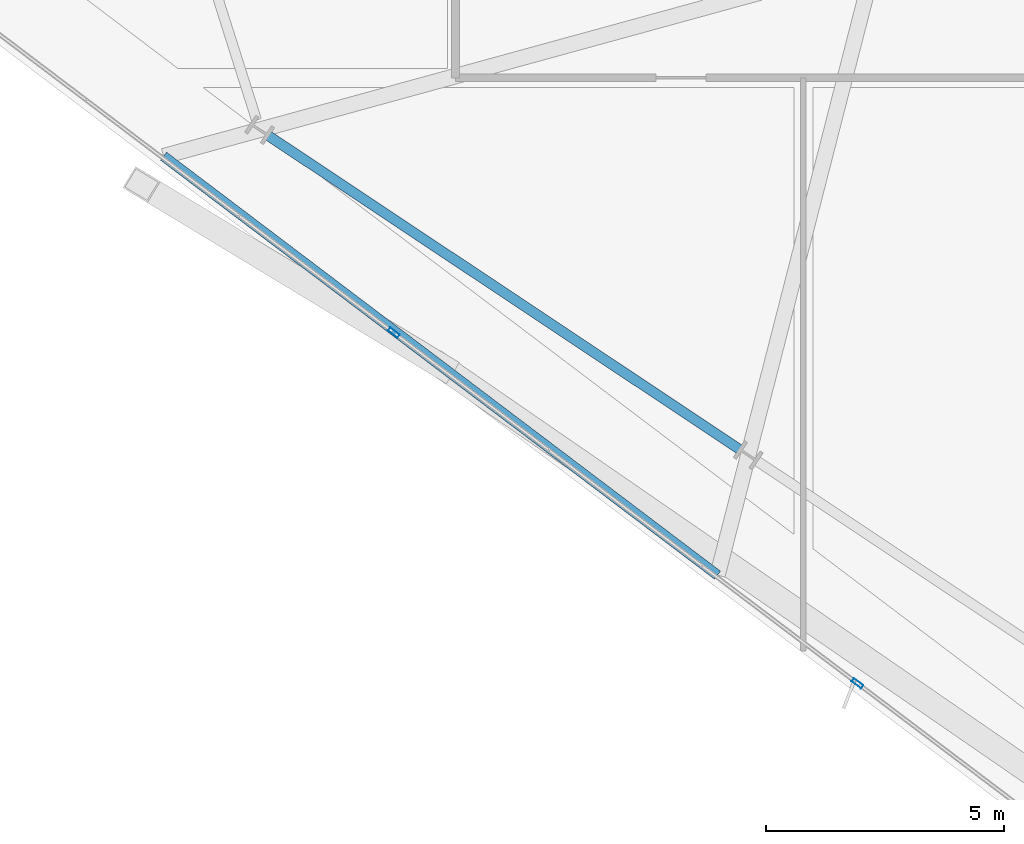
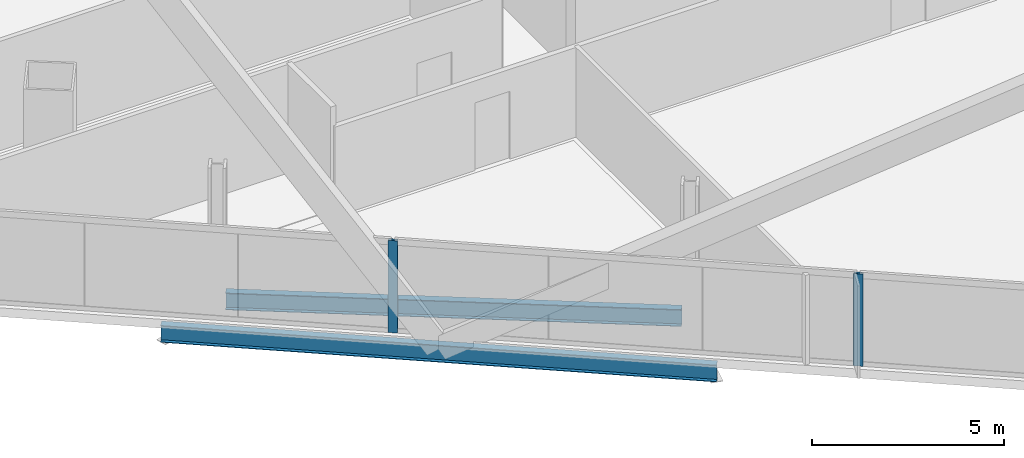
# One storey, part 2 of 34: 2 beams, 2 members, 1 element without a shape of its own.
"""IFC4 building model written with IfcOpenShell, lengths in metres."""

import ifcopenshell
import ifcopenshell.guid

model = None  # the IFC model being written
_history = None  # IfcOwnerHistory: only IFC2X3 demands one
_inside = {}  # id of a spatial element -> (the spatial element, [elements in it])
_under = {}  # id of a project, library or spatial element -> (it, [spatial elements below it])
_declared = {}  # id of a project -> (the project, [libraries it declares])
_typed = {}  # id of a type object -> (the type object, [elements of that type])
_made_of = {}  # id of a material, layer set ... -> (it, [elements and type objects made of it])


def new_model(schema):
    """Start an empty IFC model of exactly this schema.

    Asked for "IFC4X3", IfcOpenShell would pick the latest addendum, in which some entities
    have other attributes; the version numbers below select the first issue.
    IFC2X3 requires an IfcOwnerHistory on every rooted entity: one is made here for all.
    """
    global model, _history
    if schema == "IFC4X3":
        model = ifcopenshell.file(schema_version=(4, 3, 0, 0))
    else:
        model = ifcopenshell.file(schema=schema)
    _inside.clear()
    _under.clear()
    _declared.clear()
    _typed.clear()
    _made_of.clear()
    _history = None
    if model.schema == "IFC2X3":
        org = make("IfcOrganization", Name="unknown")
        user = make(
            "IfcPersonAndOrganization",
            ThePerson=make("IfcPerson", FamilyName="unknown"),
            TheOrganization=org,
        )
        app = make(
            "IfcApplication",
            ApplicationDeveloper=org,
            Version="unknown",
            ApplicationFullName="unknown",
            ApplicationIdentifier="unknown",
        )
        _history = make(
            "IfcOwnerHistory",
            OwningUser=user,
            OwningApplication=app,
            ChangeAction="ADDED",
            CreationDate=0,
        )
    return model


def make(cls, **values):
    """One entity of the class cls with the attributes given. An attribute that is None is left unset."""
    return model.create_entity(
        cls, **{name: value for name, value in values.items() if value is not None}
    )


def rooted(cls, **values):
    """An entity with a GlobalId (a new one), such as an element, a storey or a relation."""
    return make(cls, GlobalId=ifcopenshell.guid.new(), OwnerHistory=_history, **values)


def si_unit(unit_type, name, prefix=None):
    """IfcSIUnit, for example si_unit("LENGTHUNIT", "METRE", prefix="MILLI")."""
    return make("IfcSIUnit", UnitType=unit_type, Prefix=prefix, Name=name)


def assignment(units):
    """IfcUnitAssignment: the units of a project."""
    return None if units is None else make("IfcUnitAssignment", Units=units)


def point(xyz):
    """IfcCartesianPoint."""
    return None if xyz is None else make("IfcCartesianPoint", Coordinates=xyz)


def direction(xyz):
    """IfcDirection."""
    return None if xyz is None else make("IfcDirection", DirectionRatios=xyz)


def frame(location, z_axis=None, x_axis=None):
    """IfcAxis2Placement3D, a coordinate frame: its origin and axes. An axis left out is left unset."""
    return make(
        "IfcAxis2Placement3D",
        Location=point(location),
        Axis=direction(z_axis),
        RefDirection=direction(x_axis),
    )


def frame_2d(location, x_axis=None):
    """IfcAxis2Placement2D, a coordinate frame in the plane: its origin and x axis."""
    return make(
        "IfcAxis2Placement2D", Location=point(location), RefDirection=direction(x_axis)
    )


def origin():
    """The frame at (0, 0, 0) with its axes left unset."""
    return frame((0.0, 0.0, 0.0))


def origin_2d():
    """The frame at (0, 0) in the plane with its x axis left unset."""
    return frame_2d((0.0, 0.0))


def place(relative_to, where):
    """IfcLocalPlacement: puts the frame where relative to a parent placement (None: the world)."""
    return make(
        "IfcLocalPlacement", PlacementRelTo=relative_to, RelativePlacement=where
    )


def context(
    kind, dimensions, precision=None, world=None, true_north=None, identifier=None
):
    """IfcGeometricRepresentationContext, for example the 3D "Model" context."""
    return make(
        "IfcGeometricRepresentationContext",
        ContextIdentifier=identifier,
        ContextType=kind,
        CoordinateSpaceDimension=dimensions,
        Precision=precision,
        WorldCoordinateSystem=world,
        TrueNorth=true_north,
    )


def subcontext(parent, identifier, kind, view, scale=None):
    """IfcGeometricRepresentationSubContext, for example "Body" below "Model"."""
    return make(
        "IfcGeometricRepresentationSubContext",
        ContextIdentifier=identifier,
        ContextType=kind,
        ParentContext=parent,
        TargetScale=scale,
        TargetView=view,
    )


def project(units=None, contexts=None):
    """IfcProject with its units and contexts."""
    return rooted(
        "IfcProject",
        Name="project",
        RepresentationContexts=contexts,
        UnitsInContext=assignment(units),
    )


def spatial(cls, under=None, at=None, **own):
    """A site, building, storey or space (cls), placed at a placement, below another one or the project."""
    s = rooted(cls, ObjectPlacement=at, **own)
    if under is not None:
        _under.setdefault(under.id(), (under, []))[1].append(s)
    return s


def profile(cls, at=None, kind="AREA", **sizes):
    """A parametric profile (cls). Its sizes go by their IFC names, for example OverallWidth=200.0."""
    return make(cls, ProfileType=kind, Position=at, **sizes)


def hollow_rectangle(**sizes):
    """IfcRectangleHollowProfileDef."""
    return profile("IfcRectangleHollowProfileDef", **sizes)


def i_section(**sizes):
    """IfcIShapeProfileDef."""
    return profile("IfcIShapeProfileDef", **sizes)


def extrude(swept, where, along, depth):
    """IfcExtrudedAreaSolid: the profile swept, set in the frame where, extruded along a direction by depth."""
    return make(
        "IfcExtrudedAreaSolid",
        SweptArea=swept,
        Position=where,
        ExtrudedDirection=direction(along),
        Depth=depth,
    )


def shape(context_of_items, identifier, shape_type, items):
    """IfcShapeRepresentation: the items that make up one representation, for example the "Body"."""
    return make(
        "IfcShapeRepresentation",
        ContextOfItems=context_of_items,
        RepresentationIdentifier=identifier,
        RepresentationType=shape_type,
        Items=items,
    )


def material(Name=None, Category=None):
    """IfcMaterial."""
    return make("IfcMaterial", Name=Name, Category=Category)


def material_profile(
    of_material, cross_section, Name=None, Category=None, Priority=None
):
    """IfcMaterialProfile: a cross section and its material."""
    return make(
        "IfcMaterialProfile",
        Name=Name,
        Material=of_material,
        Profile=cross_section,
        Priority=Priority,
        Category=Category,
    )


def profile_set(profiles, Name=None, composite=None):
    """IfcMaterialProfileSet."""
    return make(
        "IfcMaterialProfileSet",
        Name=Name,
        MaterialProfiles=profiles,
        CompositeProfile=composite,
    )


def made_of(thing, what):
    """Note that an element or type object is made of a material, layer set ...; save() writes the relation."""
    if what is not None:
        _made_of.setdefault(what.id(), (what, []))[1].append(thing)
    return thing


def type_object(cls, material=None, **own):
    """A type object (cls), such as IfcWallType, which elements share."""
    return made_of(rooted(cls, **own), material)


def element(
    cls,
    number,
    at=None,
    inside=None,
    cuts=None,
    type_object=None,
    material=None,
    context=None,
    identifier="Body",
    shape_type=None,
    held_by="IfcProductDefinitionShape",
    body=None,
    shapes=None,
    **own,
):
    """One element of the class cls, such as IfcWall. Its Tag is "e" and its number.

    at: its placement. inside: the storey or other place that contains it. cuts: it is an
    opening in that element (IfcRelVoidsElement). A single representation is given by context,
    identifier, shape_type and body (its items); several are given by shapes. held_by: the class
    of the entity that holds the representations. save() writes the other relations.
    """
    e = rooted(cls, Tag="e%d" % number, ObjectPlacement=at, **own)
    if body is not None:
        shapes = [shape(context, identifier, shape_type, body)]
    if shapes is not None:
        e.Representation = make(held_by, Representations=shapes)
    if inside is not None:
        _inside.setdefault(inside.id(), (inside, []))[1].append(e)
    if cuts is not None:
        rooted(
            "IfcRelVoidsElement", RelatingBuildingElement=cuts, RelatedOpeningElement=e
        )
    if type_object is not None:
        _typed.setdefault(type_object.id(), (type_object, []))[1].append(e)
    return made_of(e, material)


def aggregate(whole, parts):
    """IfcRelAggregates: a whole, such as a stair, and the parts it consists of."""
    return rooted("IfcRelAggregates", RelatingObject=whole, RelatedObjects=parts)


def save(model, path):
    """Write the relations noted so far, then the file.

    IfcRelAggregates (storeys below a building ...), IfcRelContainedInSpatialStructure (elements
    in a storey), IfcRelDefinesByType, IfcRelAssociatesMaterial and IfcRelDeclares: one each for
    every whole, place, type object, material and project.
    """
    for whole, parts in _under.values():
        aggregate(whole, parts)
    for where, things in _inside.values():
        rooted(
            "IfcRelContainedInSpatialStructure",
            RelatedElements=things,
            RelatingStructure=where,
        )
    for kind, things in _typed.values():
        rooted("IfcRelDefinesByType", RelatedObjects=things, RelatingType=kind)
    for what, things in _made_of.values():
        rooted("IfcRelAssociatesMaterial", RelatedObjects=things, RelatingMaterial=what)
    for by, libraries in _declared.values():
        rooted("IfcRelDeclares", RelatingContext=by, RelatedDefinitions=libraries)
    model.write(path)


model = new_model("IFC4")

# Units and contexts
model_context = context("Model", 3, precision=1e-05, world=origin(), true_north=direction((0.0, 1.0)))
body_context = subcontext(model_context, "Body", "Model", "MODEL_VIEW")
ifc_project = project(units=[si_unit("LENGTHUNIT", "METRE"), si_unit("AREAUNIT", "SQUARE_METRE"), si_unit("VOLUMEUNIT", "CUBIC_METRE"), si_unit("PLANEANGLEUNIT", "RADIAN"), si_unit("MASSUNIT", "GRAM", prefix="KILO")], contexts=[model_context])

# Site, building, storey
site_placement = place(None, origin())
site = spatial("IfcSite", under=ifc_project, at=site_placement, CompositionType="ELEMENT")
building_placement = place(site_placement, origin())
building = spatial("IfcBuilding", under=site, at=building_placement, Name="Haldenkirk Collegiate Tower", CompositionType="ELEMENT")
storey_placement = place(building_placement, frame((0.0, 0.0, 205.949951171875)))
storey = spatial("IfcBuildingStorey", under=building, at=storey_placement, Name="L51", CompositionType="ELEMENT", Elevation=205.949951171875)

# Beams
ifc_material_1 = material(Name="Steel ASTM A992 Grade 50", Category="steel")
ifc_material_profile_1 = material_profile(ifc_material_1, i_section(OverallWidth=0.2099609375, OverallDepth=0.537109375, WebThickness=0.010986328125, FlangeThickness=0.017333984375, at=origin_2d()), Name="W21X68")
ifc_profile_set_1 = profile_set([ifc_material_profile_1], Name="Steel ASTM A992 Grade 50")
beam_type = type_object("IfcBeamType", Name="BM-SPANDREL-W21X68", PredefinedType="SPANDREL", material=ifc_profile_set_1)
beam_1_placement = place(storey_placement, frame((14.26904296875, 14.337158203125, -0.54833984375), z_axis=(0.832438805455, -0.554116986901, 0.0), x_axis=(0.554116986901, 0.832438805455, 0.0)))
element("IfcBeam", 1, at=beam_1_placement, inside=storey, type_object=beam_type, Name="L51 perimeter spandrel beam 14", PredefinedType="SPANDREL", context=body_context, shape_type="SweptSolid", body=[
    extrude(i_section(OverallWidth=0.2099609375, OverallDepth=0.537109375, WebThickness=0.010986328125, FlangeThickness=0.017333984375, at=origin_2d()), origin(), (0.0, 0.0, 1.0), 11.885009765625),
])
beam_2_placement = place(storey_placement, frame((12.0732421875, 13.904541015625, -0.54833984375), z_axis=(0.797583458736, -0.603208609315, 0.0), x_axis=(0.603208609315, 0.797583458736, 0.0)))
element("IfcBeam", 2, at=beam_2_placement, inside=storey, type_object=beam_type, Name="L51 outer facade edge beam 4", PredefinedType="SPANDREL", context=body_context, shape_type="SweptSolid", body=[
    extrude(i_section(OverallWidth=0.2099609375, OverallDepth=0.537109375, WebThickness=0.010986328125, FlangeThickness=0.017333984375, at=origin_2d()), origin(), (0.0, 0.0, 1.0), 14.574951171875),
])

# Curtain wall, members
ifc_material_2 = material(Name="Anodised architectural bronze aluminium", Category="aluminium")
curtain_wall_type = type_object("IfcCurtainWallType", Name="CW-SYS1B-CONVEX-HI", PredefinedType="USERDEFINED", material=ifc_material_2)
curtain_wall_placement = place(storey_placement, origin())
curtain_wall = element("IfcCurtainWall", 3, at=curtain_wall_placement, inside=storey, type_object=curtain_wall_type, Name="L51 Upper tower high-wind convex bronze unitised curtain wall", ObjectType="UNITISED CURTAIN WALL", PredefinedType="USERDEFINED")
ifc_material_profile_2 = material_profile(ifc_material_2, hollow_rectangle(XDim=0.0849609375, YDim=0.25, WallThickness=0.0048828125, at=origin_2d()), Name="CW-MUL-1B")
ifc_profile_set_2 = profile_set([ifc_material_profile_2], Name="Anodised architectural bronze aluminium")
member_type = type_object("IfcMemberType", Name="CW-MUL-1B", PredefinedType="MULLION", material=ifc_profile_set_2)
member_1_placement = place(storey_placement, frame((26.635009765625, 2.841552734375, 0.0), z_axis=(0.0, 0.0, 1.0), x_axis=(-0.603207402306, -0.797584371589, 0.0)))
member_1 = element("IfcMember", 4, at=member_1_placement, type_object=member_type, Name="CW-1B mullion 2", PredefinedType="MULLION", context=body_context, shape_type="SweptSolid", body=[
    extrude(hollow_rectangle(XDim=0.0849609375, YDim=0.25, WallThickness=0.0048828125, at=origin_2d()), origin(), (0.0, 0.0, 1.0), 2.927978515625),
])
member_2_placement = place(storey_placement, frame((16.904541015625, 10.20068359375, 0.0), z_axis=(0.0, 0.0, 1.0), x_axis=(-0.603207402306, -0.797584371589, 0.0)))
member_2 = element("IfcMember", 5, at=member_2_placement, type_object=member_type, Name="CW-1B mullion 3", PredefinedType="MULLION", context=body_context, shape_type="SweptSolid", body=[
    extrude(hollow_rectangle(XDim=0.0849609375, YDim=0.25, WallThickness=0.0048828125, at=origin_2d()), origin(), (0.0, 0.0, 1.0), 2.927978515625),
])
aggregate(curtain_wall, [member_1, member_2])

save(model, "model.ifc")
